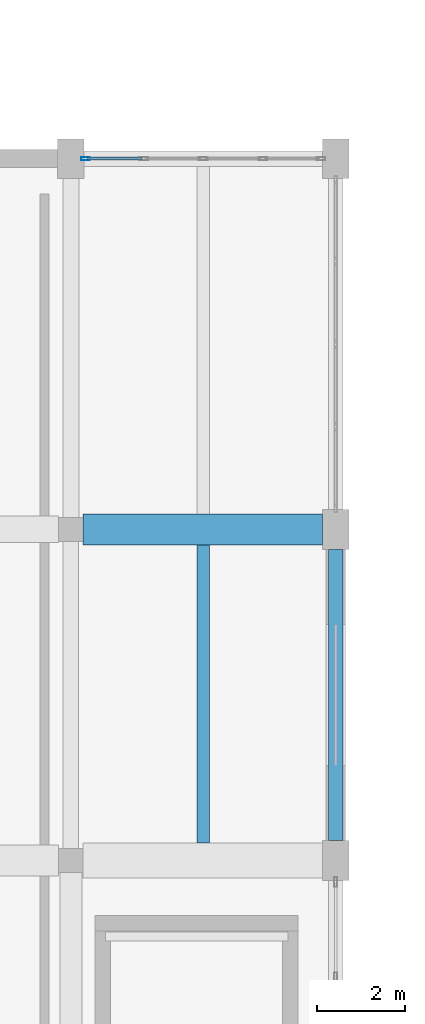
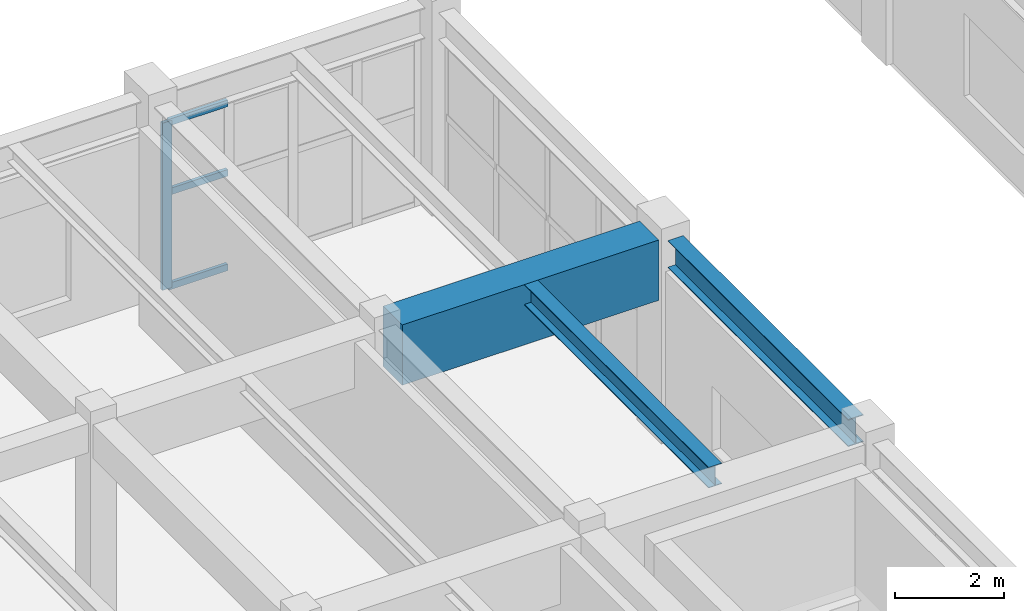
# One storey, part 44 of 96: 4 members, 3 beams, 1 element without a shape of its own.
"""IFC4 building model written with IfcOpenShell, lengths in metres."""

from ifc_helpers import new_model, si_unit, direction, frame, origin, origin_2d, place, context, subcontext, project, spatial, rectangle, hollow_rectangle, i_section, extrude, material, layer, layer_set, material_profile, profile_set, type_object, element, aggregate, save


model = new_model("IFC4")

# Units and contexts
model_context = context("Model", 3, precision=1e-05, world=origin(), true_north=direction((0.0, 1.0)))
body_context = subcontext(model_context, "Body", "Model", "MODEL_VIEW")
ifc_project = project(units=[si_unit("LENGTHUNIT", "METRE"), si_unit("AREAUNIT", "SQUARE_METRE"), si_unit("VOLUMEUNIT", "CUBIC_METRE"), si_unit("PLANEANGLEUNIT", "RADIAN"), si_unit("MASSUNIT", "GRAM", prefix="KILO")], contexts=[model_context])

# Site, building, storey
site_placement = place(None, origin())
site = spatial("IfcSite", under=ifc_project, at=site_placement, CompositionType="ELEMENT")
building_placement = place(site_placement, origin())
building = spatial("IfcBuilding", under=site, at=building_placement, Name="Vaelkrest Opera House", CompositionType="ELEMENT")
storey_placement = place(building_placement, frame((0.0, 0.0, 5.39990234375)))
storey = spatial("IfcBuildingStorey", under=building, at=storey_placement, Name="L01", CompositionType="ELEMENT", Elevation=5.39990234375)

# Beam
ifc_material_1 = material(Name="Concrete C50/60", Category="concrete")
ifc_material_profile_1 = material_profile(ifc_material_1, rectangle(XDim=0.699951171875, YDim=1.35009765625, at=origin_2d()), Name="RCB700X1350")
ifc_profile_set_1 = profile_set([ifc_material_profile_1], Name="Concrete C50/60")
beam_type_1 = type_object("IfcBeamType", Name="B06", PredefinedType="BEAM", material=ifc_profile_set_1)
beam_1_placement = place(storey_placement, frame((-39.324951171875, 25.199951171875, 3.8251953125), z_axis=(1.0, 0.0, 0.0), x_axis=(0.0, 1.0, 0.0)))
element("IfcBeam", 1, at=beam_1_placement, inside=storey, type_object=beam_type_1, Name="Beam BM-V3-L01-1543", PredefinedType="BEAM", context=body_context, shape_type="SweptSolid", body=[
    extrude(rectangle(XDim=0.699951171875, YDim=1.35009765625, at=origin_2d()), origin(), (0.0, 0.0, 1.0), 5.425048828125),
])

# Curtain wall, members
ifc_material_2 = material(Name="Dark bronze anodized aluminium", Category="aluminium")
ifc_layer = layer(ifc_material_2, 0.18994140625)
ifc_layer_set = layer_set([ifc_layer], Name="Dark bronze anodized aluminium")
curtain_wall_type = type_object("IfcCurtainWallType", Name="CW02", PredefinedType="NOTDEFINED", material=ifc_layer_set)
curtain_wall_placement = place(storey_placement, origin())
curtain_wall = element("IfcCurtainWall", 2, at=curtain_wall_placement, inside=storey, type_object=curtain_wall_type, Name="Curtain wall CW-L01-109", PredefinedType="NOTDEFINED")
ifc_material_profile_2 = material_profile(ifc_material_2, hollow_rectangle(XDim=0.070068359375, YDim=0.199951171875, WallThickness=0.004150390625, at=origin_2d()), Name="CWM70X200")
ifc_profile_set_2 = profile_set([ifc_material_profile_2], Name="Dark bronze anodized aluminium")
member_type_1 = type_object("IfcMemberType", Name="CWM02", PredefinedType="MULLION", material=ifc_profile_set_2)
member_1_placement = place(storey_placement, frame((-39.26708984375, 33.60009765625, 0.0), z_axis=(0.0, 0.0, 1.0), x_axis=(0.0, 1.0, 0.0)))
member_1 = element("IfcMember", 3, at=member_1_placement, type_object=member_type_1, Name="CW02 mullion 1", PredefinedType="MULLION", context=body_context, shape_type="SweptSolid", body=[
    extrude(hollow_rectangle(XDim=0.070068359375, YDim=0.199951171875, WallThickness=0.004150390625, at=origin_2d()), origin(), (0.0, 0.0, 1.0), 3.739990234375),
])
ifc_material_profile_3 = material_profile(ifc_material_2, hollow_rectangle(XDim=0.070068359375, YDim=0.14990234375, WallThickness=0.004150390625, at=origin_2d()), Name="CWT70X150")
ifc_profile_set_3 = profile_set([ifc_material_profile_3], Name="Dark bronze anodized aluminium")
member_type_2 = type_object("IfcMemberType", Name="CWT02", PredefinedType="USERDEFINED", material=ifc_profile_set_3)
member_2_placement = place(storey_placement, frame((-39.23193359375, 33.60009765625, 0.03515625), z_axis=(1.0, 0.0, 0.0), x_axis=(0.0, 1.0, 0.0)))
member_2 = element("IfcMember", 4, at=member_2_placement, type_object=member_type_2, Name="CW02 transom 1.1", ObjectType="TRANSOM", PredefinedType="USERDEFINED", context=body_context, shape_type="SweptSolid", body=[
    extrude(hollow_rectangle(XDim=0.070068359375, YDim=0.14990234375, WallThickness=0.004150390625, at=origin_2d()), origin(), (0.0, 0.0, 1.0), 1.245849609375),
])
member_3_placement = place(storey_placement, frame((-39.23193359375, 33.60009765625, 2.150146484375), z_axis=(1.0, 0.0, 0.0), x_axis=(0.0, 1.0, 0.0)))
member_3 = element("IfcMember", 5, at=member_3_placement, type_object=member_type_2, Name="CW02 transom 1.2", ObjectType="TRANSOM", PredefinedType="USERDEFINED", context=body_context, shape_type="SweptSolid", body=[
    extrude(hollow_rectangle(XDim=0.070068359375, YDim=0.14990234375, WallThickness=0.004150390625, at=origin_2d()), origin(), (0.0, 0.0, 1.0), 1.245849609375),
])
member_4_placement = place(storey_placement, frame((-39.23193359375, 33.60009765625, 3.705078125), z_axis=(1.0, 0.0, 0.0), x_axis=(0.0, 1.0, 0.0)))
member_4 = element("IfcMember", 6, at=member_4_placement, type_object=member_type_2, Name="CW02 transom 1.3", ObjectType="TRANSOM", PredefinedType="USERDEFINED", context=body_context, shape_type="SweptSolid", body=[
    extrude(hollow_rectangle(XDim=0.070068359375, YDim=0.14990234375, WallThickness=0.004150390625, at=origin_2d()), origin(), (0.0, 0.0, 1.0), 1.245849609375),
])
aggregate(curtain_wall, [member_1, member_2, member_3, member_4])

# Beams
ifc_material_3 = material(Name="Steel A992 Gr50", Category="steel")
ifc_material_profile_4 = material_profile(ifc_material_3, i_section(OverallWidth=0.280029296875, OverallDepth=0.462890625, WebThickness=0.0107421875, FlangeThickness=0.017333984375, at=origin_2d()), Name="W18X76")
ifc_profile_set_4 = profile_set([ifc_material_profile_4], Name="Steel A992 Gr50")
beam_type_2 = type_object("IfcBeamType", Name="J09", PredefinedType="JOIST", material=ifc_profile_set_4)
beam_2_placement = place(storey_placement, frame((-36.60009765625, 18.10009765625, 4.2685546875), z_axis=(0.0, 1.0, 0.0), x_axis=(-1.0, 0.0, 0.0)))
element("IfcBeam", 7, at=beam_2_placement, inside=storey, type_object=beam_type_2, Name="Floor joist JST-V3-L01-1619", PredefinedType="JOIST", context=body_context, shape_type="SweptSolid", body=[
    extrude(i_section(OverallWidth=0.280029296875, OverallDepth=0.462890625, WebThickness=0.0107421875, FlangeThickness=0.017333984375, at=origin_2d()), origin(), (0.0, 0.0, 1.0), 6.75),
])
ifc_material_profile_5 = material_profile(ifc_material_3, i_section(OverallWidth=0.323974609375, OverallDepth=0.611083984375, WebThickness=0.0126953125, FlangeThickness=0.01904296875, at=origin_2d()), Name="W24X104")
ifc_profile_set_5 = profile_set([ifc_material_profile_5], Name="Steel A992 Gr50")
beam_type_3 = type_object("IfcBeamType", Name="SP01", PredefinedType="SPANDREL", material=ifc_profile_set_5)
beam_3_placement = place(storey_placement, frame((-33.60009765625, 18.14990234375, 4.194580078125), z_axis=(0.0, 1.0, 0.0), x_axis=(-1.0, 0.0, 0.0)))
element("IfcBeam", 8, at=beam_3_placement, inside=storey, type_object=beam_type_3, Name="Beam BM-V3-L01-1591", PredefinedType="SPANDREL", context=body_context, shape_type="SweptSolid", body=[
    extrude(i_section(OverallWidth=0.323974609375, OverallDepth=0.611083984375, WebThickness=0.0126953125, FlangeThickness=0.01904296875, at=origin_2d()), origin(), (0.0, 0.0, 1.0), 6.60009765625),
])

save(model, "model.ifc")
